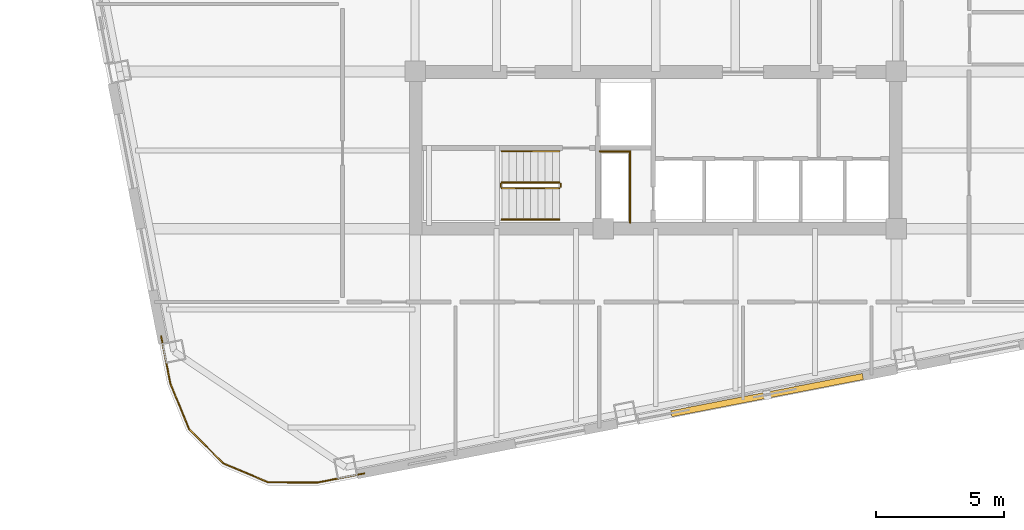
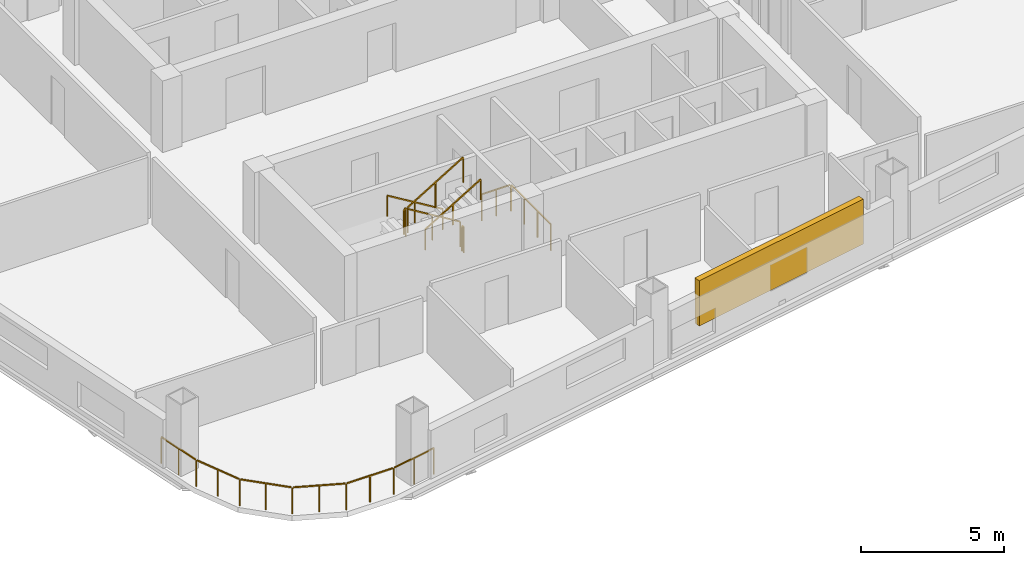
# One storey, part 7 of 9: 8 railings, 1 shading device.
"""IFC4 building model written with IfcOpenShell, lengths in metres."""

from ifc_helpers import new_model, si_unit, direction, frame, origin, origin_2d, place, context, subcontext, project, spatial, rectangle, extrude, material, type_object, element, save


model = new_model("IFC4")

# Units and contexts
model_context = context("Model", 3, precision=1e-05, world=origin(), true_north=direction((0.0, 1.0)))
body_context = subcontext(model_context, "Body", "Model", "MODEL_VIEW")
ifc_project = project(units=[si_unit("LENGTHUNIT", "METRE"), si_unit("AREAUNIT", "SQUARE_METRE"), si_unit("VOLUMEUNIT", "CUBIC_METRE"), si_unit("PLANEANGLEUNIT", "RADIAN"), si_unit("MASSUNIT", "GRAM", prefix="KILO")], contexts=[model_context])

# Site, building, storey
site_placement = place(None, origin())
site = spatial("IfcSite", under=ifc_project, at=site_placement, CompositionType="ELEMENT")
building_placement = place(site_placement, origin())
building = spatial("IfcBuilding", under=site, at=building_placement, Name="Qhalaya Broadcast Tower", CompositionType="ELEMENT")
storey_placement = place(building_placement, frame((0.0, 0.0, 128.050048828125)))
storey = spatial("IfcBuildingStorey", under=building, at=storey_placement, Name="L37", CompositionType="ELEMENT", Elevation=128.050048828125)

# Railings
ifc_material_1 = material(Name="Powder-Coated Galvanised Steel", Category="steel")
railing_type_1 = type_object("IfcRailingType", Name="Stair Wall Handrail 900", PredefinedType="HANDRAIL", material=ifc_material_1)
railing_1_placement = place(storey_placement, frame((-3.75, -5.72998046875, 0.16943359375)))
element("IfcRailing", 1, at=railing_1_placement, inside=storey, type_object=railing_type_1, Name="L37 ST-2 Stair Handrail 1", PredefinedType="HANDRAIL", context=body_context, shape_type="SweptSolid", body=[
    extrude(rectangle(XDim=0.048095703125, YDim=0.048095703125, at=origin_2d()), frame((0.0, 0.0, 0.8759765625), z_axis=(-0.855553338991, 0.0, 0.51771467445), x_axis=(0.0, -1.0, 0.0)), (0.0, 0.0, 1.0), 2.6181640625),
    extrude(rectangle(XDim=0.0419921875, YDim=0.0419921875, at=origin_2d()), origin(), (0.0, 0.0, 1.0), 0.849853515625),
    extrude(rectangle(XDim=0.0419921875, YDim=0.0419921875, at=origin_2d()), frame((-1.1201171875, 0.0, 0.677734375)), (0.0, 0.0, 1.0), 0.849853515625),
    extrude(rectangle(XDim=0.0419921875, YDim=0.0419921875, at=origin_2d()), frame((-2.239990234375, 0.0, 1.35546875)), (0.0, 0.0, 1.0), 0.849853515625),
])
railing_2_placement = place(storey_placement, frame((-5.989990234375, -8.389892578125, 1.6943359375)))
element("IfcRailing", 2, at=railing_2_placement, inside=storey, type_object=railing_type_1, Name="L37 ST-2 Stair Handrail 2", PredefinedType="HANDRAIL", context=body_context, shape_type="SweptSolid", body=[
    extrude(rectangle(XDim=0.048095703125, YDim=0.048095703125, at=origin_2d()), frame((0.0, 0.0, 0.8759765625), z_axis=(0.855512035549, 0.0, 0.517782924622), x_axis=(0.0, 1.0, 0.0)), (0.0, 0.0, 1.0), 2.618408203125),
    extrude(rectangle(XDim=0.0419921875, YDim=0.0419921875, at=origin_2d()), origin(), (0.0, 0.0, 1.0), 0.849853515625),
    extrude(rectangle(XDim=0.0419921875, YDim=0.0419921875, at=origin_2d()), frame((1.1201171875, 0.0, 0.677734375)), (0.0, 0.0, 1.0), 0.849853515625),
    extrude(rectangle(XDim=0.0419921875, YDim=0.0419921875, at=origin_2d()), frame((2.239990234375, 0.0, 1.355712890625)), (0.0, 0.0, 1.0), 0.849853515625),
])
railing_type_2 = type_object("IfcRailingType", Name="Stair Well & Landing Guardrail 1100", PredefinedType="GUARDRAIL", material=ifc_material_1)
railing_3_placement = place(storey_placement, frame((-1.0, -8.52001953125, 0.0)))
element("IfcRailing", 3, at=railing_3_placement, inside=storey, type_object=railing_type_2, Name="L37 Service Riser Opening Safety Guard SRSR", PredefinedType="GUARDRAIL", context=body_context, shape_type="SweptSolid", body=[
    extrude(rectangle(XDim=0.048095703125, YDim=0.048095703125, at=origin_2d()), frame((0.0, 0.0, 1.1259765625), z_axis=(0.0, 1.0, 0.0), x_axis=(-1.0, 0.0, 0.0)), (0.0, 0.0, 1.0), 2.751220703125),
    extrude(rectangle(XDim=0.048095703125, YDim=0.048095703125, at=origin_2d()), frame((-0.02880859375, 2.780029296875, 1.1259765625), z_axis=(-1.0, 0.0, 0.0), x_axis=(0.0, -1.0, 0.0)), (0.0, 0.0, 1.0), 1.151123046875),
    extrude(rectangle(XDim=0.0419921875, YDim=0.0419921875, at=origin_2d()), origin(), (0.0, 0.0, 1.0), 1.099853515625),
    extrude(rectangle(XDim=0.0419921875, YDim=0.0419921875, at=origin_2d()), frame((0.0, 0.9267578125, 0.0)), (0.0, 0.0, 1.0), 1.099853515625),
    extrude(rectangle(XDim=0.0419921875, YDim=0.0419921875, at=origin_2d()), frame((0.0, 1.853271484375, 0.0)), (0.0, 0.0, 1.0), 1.099853515625),
    extrude(rectangle(XDim=0.0419921875, YDim=0.0419921875, at=origin_2d()), frame((0.0, 2.780029296875, 0.0)), (0.0, 0.0, 1.0), 1.099853515625),
    extrude(rectangle(XDim=0.0419921875, YDim=0.0419921875, at=origin_2d()), frame((-0.58984375, 2.780029296875, 0.0)), (0.0, 0.0, 1.0), 1.099853515625),
    extrude(rectangle(XDim=0.0419921875, YDim=0.0419921875, at=origin_2d()), frame((-1.179931640625, 2.780029296875, 0.0)), (0.0, 0.0, 1.0), 1.099853515625),
])
railing_4_placement = place(storey_placement, frame((-3.75, -6.949951171875, 0.16943359375)))
element("IfcRailing", 4, at=railing_4_placement, inside=storey, type_object=railing_type_2, Name="L37 ST-2 Stair Guard 1", PredefinedType="GUARDRAIL", context=body_context, shape_type="SweptSolid", body=[
    extrude(rectangle(XDim=0.048095703125, YDim=0.048095703125, at=origin_2d()), frame((0.0, 0.0, 1.076171875), z_axis=(-0.855553338991, 0.0, 0.51771467445), x_axis=(0.0, -1.0, 0.0)), (0.0, 0.0, 1.0), 2.6181640625),
    extrude(rectangle(XDim=0.0419921875, YDim=0.0419921875, at=origin_2d()), origin(), (0.0, 0.0, 1.0), 1.050048828125),
    extrude(rectangle(XDim=0.0419921875, YDim=0.0419921875, at=origin_2d()), frame((-1.1201171875, 0.0, 0.677734375)), (0.0, 0.0, 1.0), 1.050048828125),
    extrude(rectangle(XDim=0.0419921875, YDim=0.0419921875, at=origin_2d()), frame((-2.239990234375, 0.0, 1.35546875)), (0.0, 0.0, 1.0), 1.050048828125),
])
railing_5_placement = place(storey_placement, frame((-6.0400390625, -7.0, 1.52490234375)))
element("IfcRailing", 5, at=railing_5_placement, inside=storey, type_object=railing_type_2, Name="L37 ST-2 Stair Guard 2", PredefinedType="GUARDRAIL", context=body_context, shape_type="SweptSolid", body=[
    extrude(rectangle(XDim=0.048095703125, YDim=0.048095703125, at=origin_2d()), frame((0.0, 0.0, 1.076171875), z_axis=(0.0, -1.0, 0.0), x_axis=(1.0, 0.0, 0.0)), (0.0, 0.0, 1.0), 0.1201171875),
    extrude(rectangle(XDim=0.0419921875, YDim=0.0419921875, at=origin_2d()), origin(), (0.0, 0.0, 1.0), 1.050048828125),
    extrude(rectangle(XDim=0.0419921875, YDim=0.0419921875, at=origin_2d()), frame((0.0, -0.1201171875, 0.0)), (0.0, 0.0, 1.0), 1.050048828125),
])
railing_6_placement = place(storey_placement, frame((-5.989990234375, -7.169921875, 1.6943359375)))
element("IfcRailing", 6, at=railing_6_placement, inside=storey, type_object=railing_type_2, Name="L37 ST-2 Stair Guard 3", PredefinedType="GUARDRAIL", context=body_context, shape_type="SweptSolid", body=[
    extrude(rectangle(XDim=0.048095703125, YDim=0.048095703125, at=origin_2d()), frame((0.0, 0.0, 1.076171875), z_axis=(0.855512035549, 0.0, 0.517782924622), x_axis=(0.0, 1.0, 0.0)), (0.0, 0.0, 1.0), 2.618408203125),
    extrude(rectangle(XDim=0.0419921875, YDim=0.0419921875, at=origin_2d()), origin(), (0.0, 0.0, 1.0), 1.050048828125),
    extrude(rectangle(XDim=0.0419921875, YDim=0.0419921875, at=origin_2d()), frame((1.1201171875, 0.0, 0.677734375)), (0.0, 0.0, 1.0), 1.050048828125),
    extrude(rectangle(XDim=0.0419921875, YDim=0.0419921875, at=origin_2d()), frame((2.239990234375, 0.0, 1.355712890625)), (0.0, 0.0, 1.0), 1.050048828125),
])
railing_7_placement = place(storey_placement, frame((-3.699951171875, -7.0, 0.0)))
element("IfcRailing", 7, at=railing_7_placement, inside=storey, type_object=railing_type_2, Name="L37 ST-2 Stair Guard 4", PredefinedType="GUARDRAIL", context=body_context, shape_type="SweptSolid", body=[
    extrude(rectangle(XDim=0.048095703125, YDim=0.048095703125, at=origin_2d()), frame((0.0, 0.0, 1.076171875), z_axis=(0.0, -1.0, 0.0), x_axis=(1.0, 0.0, 0.0)), (0.0, 0.0, 1.0), 0.1201171875),
    extrude(rectangle(XDim=0.0419921875, YDim=0.0419921875, at=origin_2d()), origin(), (0.0, 0.0, 1.0), 1.050048828125),
    extrude(rectangle(XDim=0.0419921875, YDim=0.0419921875, at=origin_2d()), frame((0.0, -0.1201171875, 0.0)), (0.0, 0.0, 1.0), 1.050048828125),
])
railing_type_3 = type_object("IfcRailingType", Name="Terrace, Sky-Pool & Lookout Glass Balustrade 1150", PredefinedType="BALUSTRADE", material=ifc_material_1)
railing_8_placement = place(storey_placement, frame((-11.351318359375, -18.281982421875, 0.0)))
element("IfcRailing", 8, at=railing_8_placement, inside=storey, type_object=railing_type_3, Name="L37 Rounded Corner Perimeter Guard 02", PredefinedType="BALUSTRADE", context=body_context, shape_type="SweptSolid", body=[
    extrude(rectangle(XDim=0.048095703125, YDim=0.048095703125, at=origin_2d()), frame((0.0, 0.0, 1.1259765625), z_axis=(-0.981643446311, -0.190725311155, 0.0), x_axis=(0.190725311155, -0.981643446311, 0.0)), (0.0, 0.0, 1.0), 1.8271484375),
    extrude(rectangle(XDim=0.048095703125, YDim=0.048095703125, at=origin_2d()), frame((-1.850830078125, -0.353759765625, 1.1259765625), z_axis=(-0.999990606087, 0.004334482484, 0.0), x_axis=(-0.004334482484, -0.999990606087, 0.0)), (0.0, 0.0, 1.0), 1.857421875),
    extrude(rectangle(XDim=0.048095703125, YDim=0.048095703125, at=origin_2d()), frame((-3.763671875, -0.33447265625, 1.1259765625), z_axis=(-0.922247496545, 0.386599993684, 0.0), x_axis=(-0.386599993684, -0.922247496545, 0.0)), (0.0, 0.0, 1.0), 1.845703125),
    extrude(rectangle(XDim=0.048095703125, YDim=0.048095703125, at=origin_2d()), frame((-5.5126953125, 0.41064453125, 1.1259765625), z_axis=(-0.704021268228, 0.710178888649, 0.0), x_axis=(-0.710178888649, -0.704021268228, 0.0)), (0.0, 0.0, 1.0), 1.845458984375),
    extrude(rectangle(XDim=0.048095703125, YDim=0.048095703125, at=origin_2d()), frame((-6.84326171875, 1.768310546875, 1.1259765625), z_axis=(-0.378588174109, 0.925565229698, 0.0), x_axis=(-0.925565229698, -0.378588174109, 0.0)), (0.0, 0.0, 1.0), 1.857666015625),
    extrude(rectangle(XDim=0.048095703125, YDim=0.048095703125, at=origin_2d()), frame((-7.56298828125, 3.542724609375, 1.1259765625), z_axis=(-0.190725311155, 0.981643446311, 0.0), x_axis=(-0.981643446311, -0.190725311155, 0.0)), (0.0, 0.0, 1.0), 1.8271484375),
    extrude(rectangle(XDim=0.0419921875, YDim=0.0419921875, at=origin_2d()), origin(), (0.0, 0.0, 1.0), 1.099853515625),
    extrude(rectangle(XDim=0.0419921875, YDim=0.0419921875, at=origin_2d()), frame((-0.9111328125, -0.177001953125, 0.0)), (0.0, 0.0, 1.0), 1.099853515625),
    extrude(rectangle(XDim=0.0419921875, YDim=0.0419921875, at=origin_2d()), frame((-1.822021484375, -0.35400390625, 0.0)), (0.0, 0.0, 1.0), 1.099853515625),
    extrude(rectangle(XDim=0.0419921875, YDim=0.0419921875, at=origin_2d()), frame((-2.779541015625, -0.349853515625, 0.0)), (0.0, 0.0, 1.0), 1.099853515625),
    extrude(rectangle(XDim=0.0419921875, YDim=0.0419921875, at=origin_2d()), frame((-3.737060546875, -0.345703125, 0.0)), (0.0, 0.0, 1.0), 1.099853515625),
    extrude(rectangle(XDim=0.0419921875, YDim=0.0419921875, at=origin_2d()), frame((-4.61474609375, 0.022216796875, 0.0)), (0.0, 0.0, 1.0), 1.099853515625),
    extrude(rectangle(XDim=0.0419921875, YDim=0.0419921875, at=origin_2d()), frame((-5.492431640625, 0.39013671875, 0.0)), (0.0, 0.0, 1.0), 1.099853515625),
    extrude(rectangle(XDim=0.0419921875, YDim=0.0419921875, at=origin_2d()), frame((-6.162353515625, 1.06591796875, 0.0)), (0.0, 0.0, 1.0), 1.099853515625),
    extrude(rectangle(XDim=0.0419921875, YDim=0.0419921875, at=origin_2d()), frame((-6.832275390625, 1.74169921875, 0.0)), (0.0, 0.0, 1.0), 1.099853515625),
    extrude(rectangle(XDim=0.0419921875, YDim=0.0419921875, at=origin_2d()), frame((-7.19482421875, 2.6279296875, 0.0)), (0.0, 0.0, 1.0), 1.099853515625),
    extrude(rectangle(XDim=0.0419921875, YDim=0.0419921875, at=origin_2d()), frame((-7.557373046875, 3.514404296875, 0.0)), (0.0, 0.0, 1.0), 1.099853515625),
    extrude(rectangle(XDim=0.0419921875, YDim=0.0419921875, at=origin_2d()), frame((-7.734375, 4.42529296875, 0.0)), (0.0, 0.0, 1.0), 1.099853515625),
    extrude(rectangle(XDim=0.0419921875, YDim=0.0419921875, at=origin_2d()), frame((-7.911376953125, 5.33642578125, 0.0)), (0.0, 0.0, 1.0), 1.099853515625),
])

# Shading device
ifc_material_2 = material(Name="Fired Architectural Terracotta", Category="masonry")
shading_device_type = type_object("IfcShadingDeviceType", Name="Terracotta Baguette Solar Screen Assembly TBS-01", PredefinedType="USERDEFINED", material=ifc_material_2)
shading_device_placement = place(storey_placement, frame((4.337158203125, -15.232421875, 0.79248046875), z_axis=(0.0, 0.0, 1.0), x_axis=(0.981627183448, 0.190808995377, 0.0)))
element("IfcShadingDevice", 9, at=shading_device_placement, inside=storey, type_object=shading_device_type, Name="L37 Fired Terracotta Baguette Screen S", ObjectType="BAGUETTE", PredefinedType="USERDEFINED", context=body_context, shape_type="SweptSolid", body=[
    extrude(rectangle(XDim=7.60009765625, YDim=0.239990234375, at=origin_2d()), origin(), (0.0, 0.0, 1.0), 1.924072265625),
])

save(model, "model.ifc")
